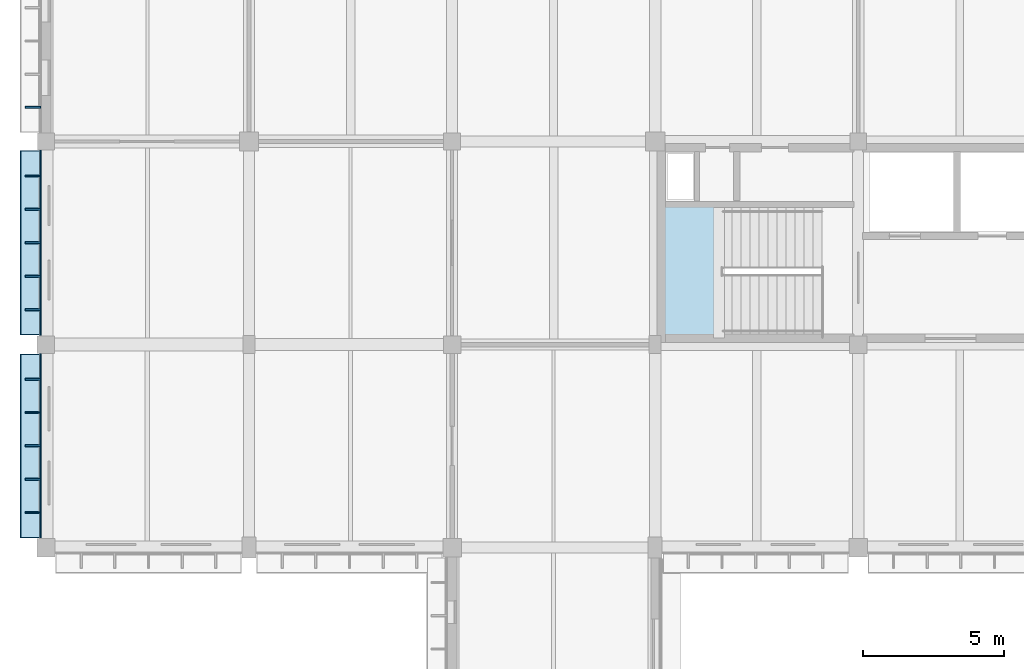
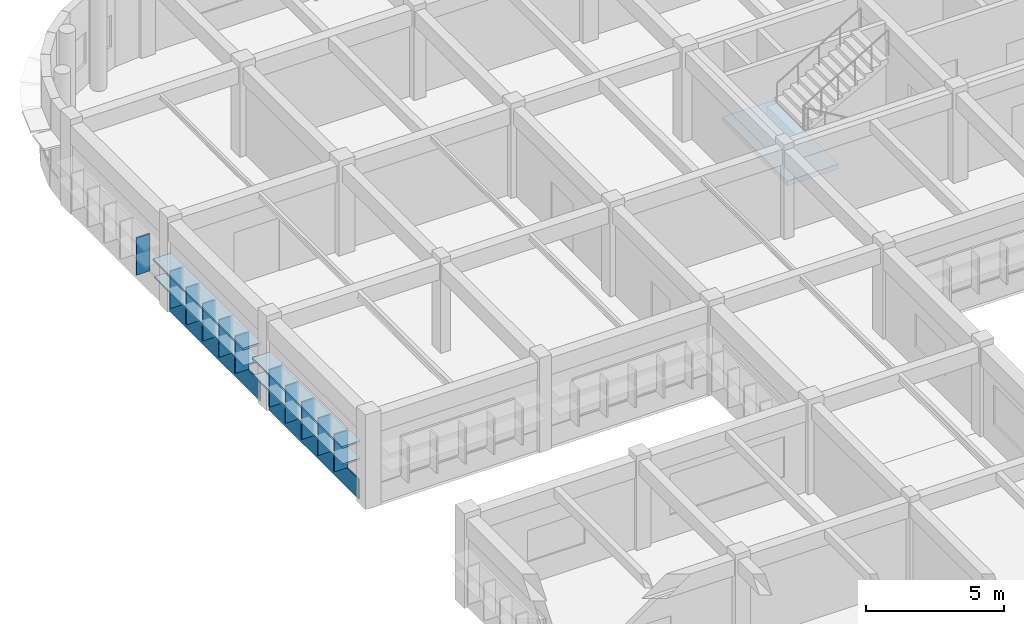
# One storey, part 72 of 103: 17 plates, 1 slab, 1 element without a shape of its own.
"""IFC4 building model written with IfcOpenShell, lengths in metres."""

from ifc_helpers import new_model, si_unit, direction, frame, origin, origin_2d, place, context, subcontext, project, spatial, polyline, rectangle, outline, extrude, material, layer, layer_set, type_object, element, aggregate, save


model = new_model("IFC4")

# Units and contexts
model_context = context("Model", 3, precision=1e-05, world=origin(), true_north=direction((0.0, 1.0)))
body_context = subcontext(model_context, "Body", "Model", "MODEL_VIEW")
ifc_project = project(units=[si_unit("LENGTHUNIT", "METRE"), si_unit("AREAUNIT", "SQUARE_METRE"), si_unit("VOLUMEUNIT", "CUBIC_METRE"), si_unit("PLANEANGLEUNIT", "RADIAN"), si_unit("MASSUNIT", "GRAM", prefix="KILO")], contexts=[model_context])

# Site, building, storey
site_placement = place(None, origin())
site = spatial("IfcSite", under=ifc_project, at=site_placement, CompositionType="ELEMENT")
building_placement = place(site_placement, origin())
building = spatial("IfcBuilding", under=site, at=building_placement, Name="Thalmaran Polytechnic", CompositionType="ELEMENT")
storey_placement = place(building_placement, frame((0.0, 0.0, 14.39990234375)))
storey = spatial("IfcBuildingStorey", under=building, at=storey_placement, Name="L03", CompositionType="ELEMENT", Elevation=14.39990234375)

# Plates
ifc_material_1 = material(Name="Anodised aluminium spandrel band", Category="aluminium")
ifc_layer_1 = layer(ifc_material_1, 0.054931640625, Name="Anodised aluminium spandrel band")
ifc_layer_set_1 = layer_set([ifc_layer_1], Name="Anodised aluminium spandrel band")
plate_type_1 = type_object("IfcPlateType", Name="PT-BD01", PredefinedType="SHEET", material=ifc_layer_set_1)
plate_1_placement = place(storey_placement, frame((-0.195068359375, 97.20751953125, 0.020263671875), z_axis=(0.0, 0.0, 1.0), x_axis=(0.0, 1.0, 0.0)))
element("IfcPlate", 1, at=plate_1_placement, inside=storey, type_object=plate_type_1, Name="Streamline Horizontal Spandrel Band L03-046", PredefinedType="SHEET", context=body_context, shape_type="SweptSolid", body=[
    extrude(rectangle(XDim=6.52490234375, YDim=0.054931640625, at=origin_2d()), origin(), (0.0, 0.0, 1.0), 0.8798828125),
])
plate_2_placement = place(storey_placement, frame((-0.195068359375, 104.405029296875, 0.020263671875), z_axis=(0.0, 0.0, 1.0), x_axis=(0.0, 1.0, 0.0)))
element("IfcPlate", 2, at=plate_2_placement, inside=storey, type_object=plate_type_1, Name="Streamline Horizontal Spandrel Band L03-047", PredefinedType="SHEET", context=body_context, shape_type="SweptSolid", body=[
    extrude(rectangle(XDim=6.550048828125, YDim=0.054931640625, at=origin_2d()), origin(), (0.0, 0.0, 1.0), 0.8798828125),
])
ifc_material_2 = material(Name="Anodised aluminium sun-hood eyebrow", Category="aluminium")
ifc_layer_2 = layer(ifc_material_2, 0.0849609375, Name="Anodised aluminium sun-hood eyebrow")
ifc_layer_set_2 = layer_set([ifc_layer_2], Name="Anodised aluminium sun-hood eyebrow")
plate_type_2 = type_object("IfcPlateType", Name="PT-EB01", PredefinedType="SHEET", material=ifc_layer_set_2)
plate_3_placement = place(storey_placement, frame((-0.5400390625, 97.20751953125, 2.517578125), z_axis=(0.0, 0.0, 1.0), x_axis=(0.0, 1.0, 0.0)))
element("IfcPlate", 3, at=plate_3_placement, inside=storey, type_object=plate_type_2, Name="Streamline Sun-Hood Eyebrow L03-046", PredefinedType="SHEET", context=body_context, shape_type="SweptSolid", body=[
    extrude(rectangle(XDim=6.52490234375, YDim=0.760009765625, at=origin_2d()), origin(), (0.0, 0.0, 1.0), 0.0849609375),
])
plate_4_placement = place(storey_placement, frame((-0.52001953125, 97.20751953125, 1.74267578125), z_axis=(0.0, 0.0, 1.0), x_axis=(0.0, 1.0, 0.0)))
element("IfcPlate", 4, at=plate_4_placement, inside=storey, type_object=plate_type_2, Name="Abu Dhabi Horizontal Solar Louvre L03-046", PredefinedType="SHEET", context=body_context, shape_type="SweptSolid", body=[
    extrude(rectangle(XDim=6.485107421875, YDim=0.719970703125, at=origin_2d()), origin(), (0.0, 0.0, 1.0), 0.074951171875),
])
plate_5_placement = place(storey_placement, frame((-0.5400390625, 104.405029296875, 2.517578125), z_axis=(0.0, 0.0, 1.0), x_axis=(0.0, 1.0, 0.0)))
element("IfcPlate", 5, at=plate_5_placement, inside=storey, type_object=plate_type_2, Name="Streamline Sun-Hood Eyebrow L03-047", PredefinedType="SHEET", context=body_context, shape_type="SweptSolid", body=[
    extrude(rectangle(XDim=6.550048828125, YDim=0.760009765625, at=origin_2d()), origin(), (0.0, 0.0, 1.0), 0.0849609375),
])
plate_6_placement = place(storey_placement, frame((-0.52001953125, 104.405029296875, 1.74267578125), z_axis=(0.0, 0.0, 1.0), x_axis=(0.0, 1.0, 0.0)))
element("IfcPlate", 6, at=plate_6_placement, inside=storey, type_object=plate_type_2, Name="Abu Dhabi Horizontal Solar Louvre L03-047", PredefinedType="SHEET", context=body_context, shape_type="SweptSolid", body=[
    extrude(rectangle(XDim=6.510009765625, YDim=0.719970703125, at=origin_2d()), origin(), (0.0, 0.0, 1.0), 0.074951171875),
])
ifc_material_3 = material(Name="Anodised bronze brise-soleil fin")
ifc_layer_3 = layer(ifc_material_3, 0.06494140625, Name="Anodised bronze brise-soleil fin")
ifc_layer_set_3 = layer_set([ifc_layer_3], Name="Anodised bronze brise-soleil fin")
plate_type_3 = type_object("IfcPlateType", Name="PT-FN01", PredefinedType="SHEET", material=ifc_layer_set_3)
for number, where, z_axis, x_axis, name in (
    (7, (-0.4599609375, 94.843994140625, 0.895263671875), (0.0, 0.0, 1.0), (0.0, 1.0, 0.0), "Abu Dhabi Solar Brise-Soleil Fin L03-046-1"),
    (8, (-0.4599609375, 96.02587890625, 0.895263671875), (0.0, 0.0, 1.0), (0.0, 1.0, 0.0), "Abu Dhabi Solar Brise-Soleil Fin L03-046-2"),
    (9, (-0.4599609375, 97.20751953125, 0.895263671875), (0.0, 0.0, 1.0), (0.0, 1.0, 0.0), "Abu Dhabi Solar Brise-Soleil Fin L03-046-3"),
    (10, (-0.4599609375, 98.38916015625, 0.895263671875), (0.0, 0.0, 1.0), (0.0, 1.0, 0.0), "Abu Dhabi Solar Brise-Soleil Fin L03-046-4"),
    (11, (-0.4599609375, 99.57080078125, 0.895263671875), (0.0, 0.0, 1.0), (0.0, 1.0, 0.0), "Abu Dhabi Solar Brise-Soleil Fin L03-046-5"),
    (12, (-0.4599609375, 102.03271484375, 0.895263671875), (0.0, 0.0, 1.0), (0.0, 1.0, 0.0), "Abu Dhabi Solar Brise-Soleil Fin L03-047-1"),
    (13, (-0.4599609375, 103.21875, 0.895263671875), (0.0, 0.0, 1.0), (0.0, 1.0, 0.0), "Abu Dhabi Solar Brise-Soleil Fin L03-047-2"),
    (14, (-0.4599609375, 104.405029296875, 0.895263671875), (0.0, 0.0, 1.0), (0.0, 1.0, 0.0), "Abu Dhabi Solar Brise-Soleil Fin L03-047-3"),
    (15, (-0.4599609375, 105.59130859375, 0.895263671875), (0.0, 0.0, 1.0), (0.0, 1.0, 0.0), "Abu Dhabi Solar Brise-Soleil Fin L03-047-4"),
    (16, (-0.4599609375, 106.77734375, 0.895263671875), (0.0, 0.0, 1.0), (0.0, 1.0, 0.0), "Abu Dhabi Solar Brise-Soleil Fin L03-047-5"),
    (17, (-0.4599609375, 109.21337890625, 0.895263671875), (0.0, 0.0, 1.0), (0.0, 1.0, 0.0), "Abu Dhabi Solar Brise-Soleil Fin L03-048-1"),
):
    element("IfcPlate", number, at=place(storey_placement, frame(where, z_axis=z_axis, x_axis=x_axis)), inside=storey, type_object=plate_type_3, Name=name, PredefinedType="SHEET", context=body_context, shape_type="SweptSolid", body=[
        extrude(rectangle(XDim=0.06494140625, YDim=0.56005859375, at=origin_2d()), origin(), (0.0, 0.0, 1.0), 1.64990234375),
    ])

# Stair, slab
ifc_material_4 = material(Name="Concrete C40/50", Category="concrete")
stair_type = type_object("IfcStairType", Name="ST-HT42", PredefinedType="HALF_TURN_STAIR", material=ifc_material_4)
stair_placement = place(storey_placement, origin())
stair = element("IfcStair", 18, at=stair_placement, inside=storey, type_object=stair_type, Name="Exit Stair ST2 L03", PredefinedType="HALF_TURN_STAIR")
ifc_layer_4 = layer(ifc_material_4, 0.2099609375, Name="Concrete C40/50")
ifc_layer_set_4 = layer_set([ifc_layer_4], Name="Concrete C40/50")
slab_type = type_object("IfcSlabType", Name="SL-LD01", PredefinedType="LANDING", material=ifc_layer_set_4)
slab_placement = place(storey_placement, frame((0.0, 0.0, 1.89013671875)))
slab = element("IfcSlab", 19, at=slab_placement, type_object=slab_type, Name="ST2 L03 Half Landing", PredefinedType="LANDING", context=body_context, shape_type="SweptSolid", body=[
    extrude(outline(polyline([(21.840087890625, 101.0400390625), (24.0, 101.0400390625), (24.0, 105.739990234375), (21.840087890625, 105.739990234375), (21.840087890625, 101.0400390625)])), origin(), (0.0, 0.0, 1.0), 0.2099609375),
])
aggregate(stair, [slab])

save(model, "model.ifc")
